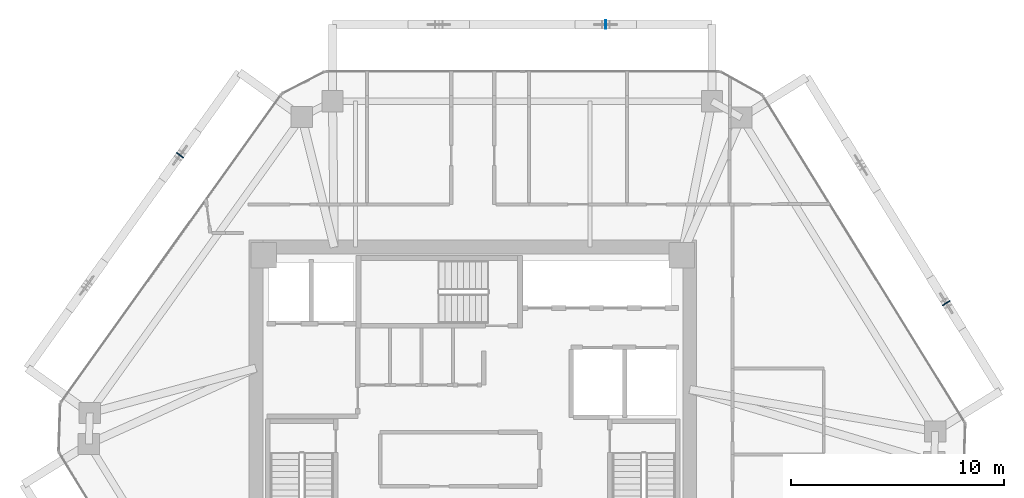
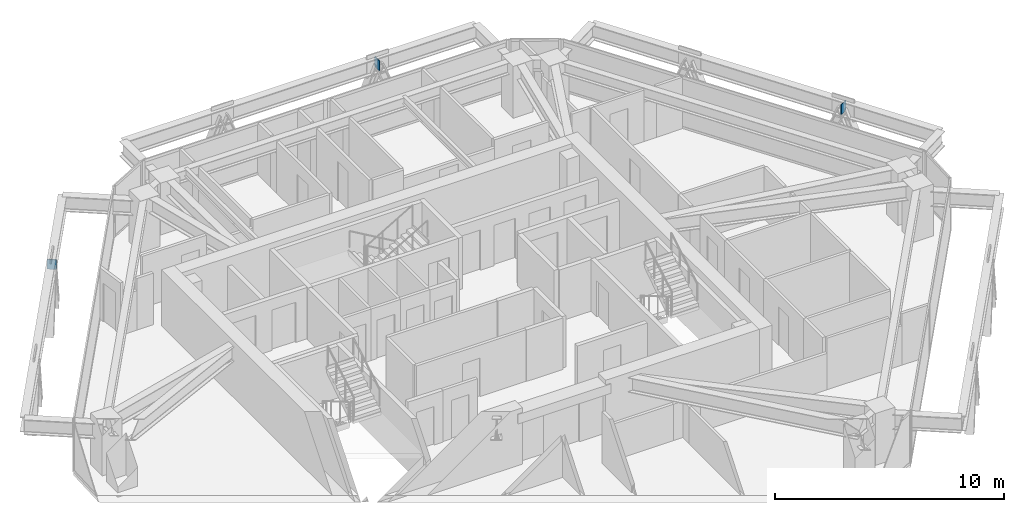
# One storey, part 9 of 15: 3 plates.
"""IFC4 building model written with IfcOpenShell, lengths in metres."""

from ifc_helpers import new_model, si_unit, direction, frame, origin, origin_2d, place, context, subcontext, project, spatial, rectangle, extrude, source, transform, mapped, material, layer, layer_set, type_object, type_shapes, element, save


model = new_model("IFC4")

# Units and contexts
model_context = context("Model", 3, precision=1e-05, world=origin(), true_north=direction((0.0, 1.0)))
body_context = subcontext(model_context, "Body", "Model", "MODEL_VIEW")
ifc_project = project(units=[si_unit("LENGTHUNIT", "METRE"), si_unit("AREAUNIT", "SQUARE_METRE"), si_unit("VOLUMEUNIT", "CUBIC_METRE"), si_unit("PLANEANGLEUNIT", "RADIAN"), si_unit("MASSUNIT", "GRAM", prefix="KILO")], contexts=[model_context])

# Site, building, storey
site_placement = place(None, origin())
site = spatial("IfcSite", under=ifc_project, at=site_placement, CompositionType="ELEMENT")
building_placement = place(site_placement, origin())
building = spatial("IfcBuilding", under=site, at=building_placement, Name="Durnholm Broadcast Tower", CompositionType="ELEMENT")
storey_placement = place(building_placement, frame((0.0, 0.0, 206.199951171875)))
storey = spatial("IfcBuildingStorey", under=building, at=storey_placement, Name="L57", CompositionType="ELEMENT", Elevation=206.199951171875)

# Plates
ifc_material = material(Name="Steel ASTM A572 Grade 50", Category="steel")
ifc_layer = layer(ifc_material, 0.044921875)
ifc_layer_set = layer_set([ifc_layer], Name="Steel ASTM A572 Grade 50")
plate_type = type_object("IfcPlateType", Name="PLT-KN-STIF", PredefinedType="SHEET", material=ifc_layer_set)
shared_shape = source(origin(), body_context, "Body", "SweptSolid", [
    extrude(rectangle(XDim=0.044921875, YDim=0.419921875, at=origin_2d()), origin(), (0.0, 0.0, 1.0), 0.52001953125),
])
type_shapes(plate_type, [shared_shape])
for number, where, z_axis, x_axis, name in (
    (1, (22.202392578125, 5.546875, 1.74853515625), (0.0, 0.0, 1.0), (-0.525768608156, 0.850627633385, 0.0), "L57 welded diagrid node stiffener plate F3"),
    (2, (6.234619140625, 18.617919921875, 1.74853515625), (0.0, 0.0, 1.0), (-1.0, 0.0, 0.0), "L57 welded diagrid node stiffener plate F4"),
    (3, (-13.731689453125, 12.485595703125, 1.74853515625), (0.0, 0.0, 1.0), (-0.582122970157, -0.813100761047, 0.0), "L57 welded diagrid node stiffener plate F5"),
):
    element("IfcPlate", number, at=place(storey_placement, frame(where, z_axis=z_axis, x_axis=x_axis)), inside=storey, type_object=plate_type, Name=name, PredefinedType="SHEET", context=body_context, shape_type="MappedRepresentation", body=[
        mapped(shared_shape, transform((0.0, 0.0, 0.0), x_axis=(1.0, 0.0, 0.0), y_axis=(0.0, 1.0, 0.0), z_axis=(0.0, 0.0, 1.0), scale=1.0)),
    ])

save(model, "model.ifc")
